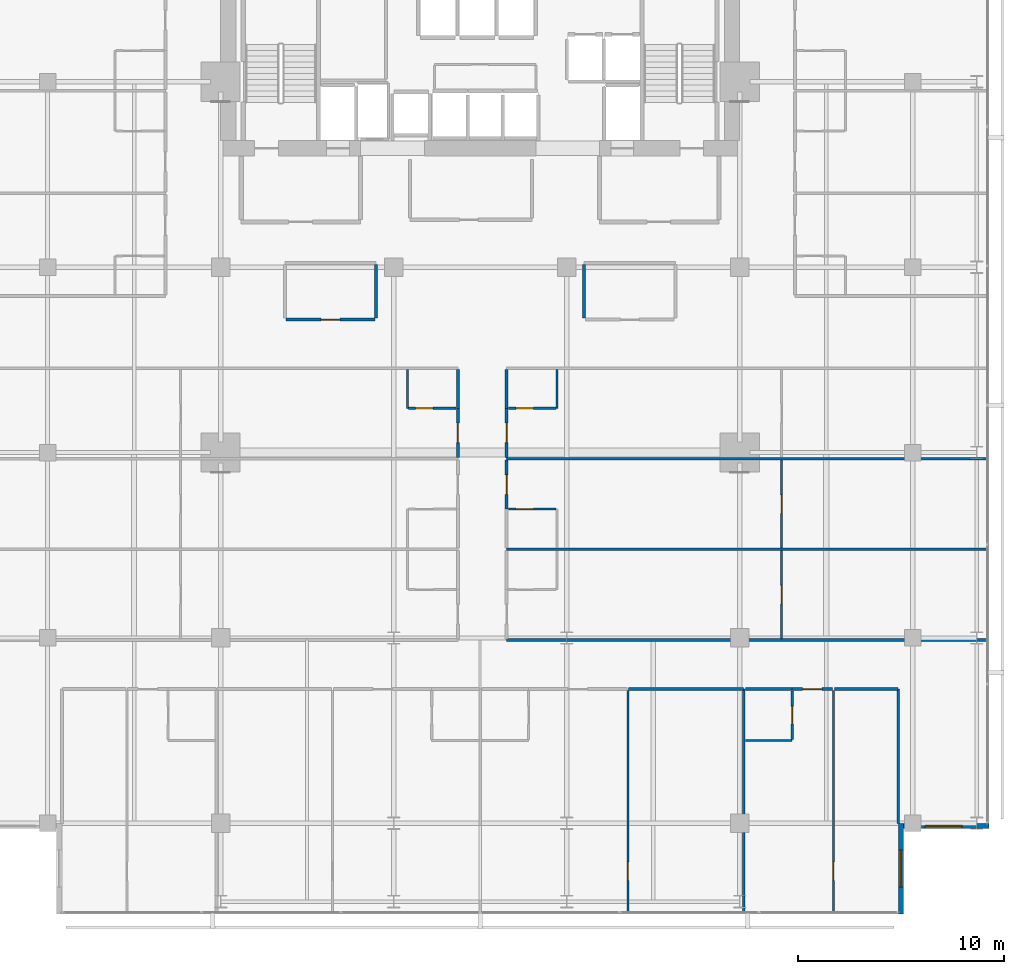
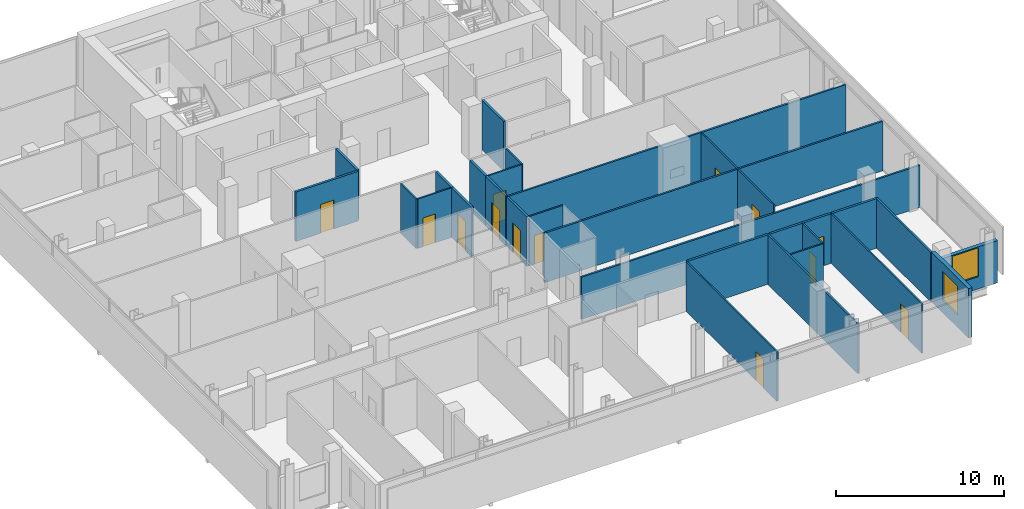
# One storey, part 28 of 34: 30 walls, 13 doors, 2 windows, 15 openings.
"""IFC4 building model written with IfcOpenShell, lengths in metres."""

from ifc_helpers import new_model, si_unit, direction, frame, frame_2d, origin, place, context, subcontext, project, spatial, rectangle, extrude, material, layer, layer_set, type_object, element, fill, save


model = new_model("IFC4")

# Units and contexts
model_context = context("Model", 3, precision=1e-05, world=origin(), true_north=direction((0.0, 1.0)))
body_context = subcontext(model_context, "Body", "Model", "MODEL_VIEW")
ifc_project = project(units=[si_unit("LENGTHUNIT", "METRE"), si_unit("AREAUNIT", "SQUARE_METRE"), si_unit("VOLUMEUNIT", "CUBIC_METRE"), si_unit("PLANEANGLEUNIT", "RADIAN"), si_unit("MASSUNIT", "GRAM", prefix="KILO")], contexts=[model_context])

# Site, building, storey
site_placement = place(None, origin())
site = spatial("IfcSite", under=ifc_project, at=site_placement, CompositionType="ELEMENT")
building_placement = place(site_placement, origin())
building = spatial("IfcBuilding", under=site, at=building_placement, Name="Maruvema Waterfront Hotel and Observation Tower", CompositionType="ELEMENT")
storey_placement = place(building_placement, frame((0.0, 0.0, 208.25)))
storey = spatial("IfcBuildingStorey", under=building, at=storey_placement, Name="L51", CompositionType="ELEMENT", Elevation=208.25)

# Wall
ifc_material_1 = material(Name="Twin-stud acoustic gypsum drywall", Category="gypsum")
ifc_layer_1 = layer(ifc_material_1, 0.14990234375, Name="Acoustic Corridor and Suite Demising Wall 150 mm")
ifc_layer_set_1 = layer_set([ifc_layer_1], Name="Twin-stud acoustic gypsum drywall")
wall_type_1 = type_object("IfcWallType", Name="Acoustic Corridor and Suite Demising Wall 150 mm", PredefinedType="PARTITIONING", material=ifc_layer_set_1)
wall_1_placement = place(storey_placement, frame((32.75, 33.530029296875, 0.0), z_axis=(0.0, 0.0, 1.0), x_axis=(0.0, 1.0, 0.0)))
element("IfcWall", 1, at=wall_1_placement, inside=storey, type_object=wall_type_1, Name="L51 L51-M1 East Wall 023", PredefinedType="PARTITIONING", context=body_context, shape_type="SweptSolid", body=[
    extrude(rectangle(XDim=2.590087890625, YDim=0.14990234375, at=frame_2d((1.294921875, 0.0))), origin(), (0.0, 0.0, 1.0), 3.610107421875),
])

# Wall, opening, door
wall_2_placement = place(storey_placement, frame((28.3798828125, 33.449951171875, 0.0), z_axis=(0.0, 0.0, 1.0), x_axis=(1.0, 0.0, 0.0)))
wall_2 = element("IfcWall", 2, at=wall_2_placement, inside=storey, type_object=wall_type_1, Name="L51 L51-M1 Front 1 024", PredefinedType="PARTITIONING", context=body_context, shape_type="SweptSolid", body=[
    extrude(rectangle(XDim=4.31005859375, YDim=0.14990234375, at=frame_2d((2.155029296875, 0.0))), origin(), (0.0, 0.0, 1.0), 3.610107421875),
])
opening_1_placement = place(wall_2_placement, frame((1.705078125, 0.0, 0.0)))
opening_1 = element("IfcOpeningElement", 3, at=opening_1_placement, cuts=wall_2, Name="Opening DR-090", PredefinedType="OPENING", context=body_context, shape_type="SweptSolid", body=[
    extrude(rectangle(XDim=0.89990234375, YDim=2.10009765625, at=frame_2d((0.449951171875, 1.050048828125))), frame((0.0, 0.0849609375, 0.0), z_axis=(0.0, -1.0, 0.0), x_axis=(1.0, 0.0, 0.0)), (0.0, 0.0, 1.0), 0.169921875),
])
ifc_material_2 = material(Name="Solid-core lacquered timber leaf", Category="wood")
door_type_1 = type_object("IfcDoorType", Name="Accessible Toilet and Room Door 900x2100 mm", OperationType="NOTDEFINED", PredefinedType="DOOR", material=ifc_material_2)
door_1_placement = place(opening_1_placement, frame((0.89990234375, 0.0, 0.0), z_axis=(0.0, 0.0, 1.0), x_axis=(-1.0, 0.0, 0.0)))
door_1 = element("IfcDoor", 4, at=door_1_placement, inside=storey, type_object=door_type_1, Name="L51 Boardroom 1 Door", OperationType="SINGLE_SWING_LEFT", OverallHeight=2.10009765625, OverallWidth=0.89990234375, PredefinedType="DOOR", context=body_context, shape_type="SweptSolid", body=[
    extrude(rectangle(XDim=0.89990234375, YDim=2.10009765625, at=frame_2d((0.449951171875, 1.050048828125))), frame((0.0, 0.02490234375, 0.0), z_axis=(0.0, -1.0, 0.0), x_axis=(1.0, 0.0, 0.0)), (0.0, 0.0, 1.0), 0.050048828125),
])
fill(opening_1, door_1)

# Walls
wall_3_placement = place(storey_placement, frame((42.85009765625, 33.530029296875, 0.0), z_axis=(0.0, 0.0, 1.0), x_axis=(0.0, 1.0, 0.0)))
element("IfcWall", 5, at=wall_3_placement, inside=storey, type_object=wall_type_1, Name="L51 L51-M2 West Wall 026", PredefinedType="PARTITIONING", context=body_context, shape_type="SweptSolid", body=[
    extrude(rectangle(XDim=2.590087890625, YDim=0.14990234375, at=frame_2d((1.294921875, 0.0))), origin(), (0.0, 0.0, 1.0), 3.610107421875),
])
wall_4_placement = place(storey_placement, frame((45.008056640625, 15.52001953125, 0.0), z_axis=(0.0, 0.0, 1.0), x_axis=(1.0, 0.0, 0.0)))
element("IfcWall", 6, at=wall_4_placement, inside=storey, type_object=wall_type_1, Name="L51 Bedroom L51-S3 Back Wall 049", PredefinedType="PARTITIONING", context=body_context, shape_type="SweptSolid", body=[
    extrude(rectangle(XDim=5.572021484375, YDim=0.14990234375, at=frame_2d((2.7861328125, 0.0))), origin(), (0.0, 0.0, 1.0), 3.610107421875),
])
wall_5_placement = place(storey_placement, frame((50.679931640625, 15.52001953125, 0.0), z_axis=(0.0, 0.0, 1.0), x_axis=(1.0, 0.0, 0.0)))
element("IfcWall", 7, at=wall_5_placement, inside=storey, type_object=wall_type_1, Name="L51 Bath L51-S4 Back Wall 052", PredefinedType="PARTITIONING", context=body_context, shape_type="SweptSolid", body=[
    extrude(rectangle(XDim=2.27001953125, YDim=0.14990234375, at=frame_2d((1.135009765625, 0.0))), origin(), (0.0, 0.0, 1.0), 3.610107421875),
])

# Wall, opening, door
wall_6_placement = place(storey_placement, frame((52.949951171875, 15.52001953125, 0.0), z_axis=(0.0, 0.0, 1.0), x_axis=(1.0, 0.0, 0.0)))
wall_6 = element("IfcWall", 8, at=wall_6_placement, inside=storey, type_object=wall_type_1, Name="L51 Unit L51-S4 Corridor Wall 055", PredefinedType="PARTITIONING", context=body_context, shape_type="SweptSolid", body=[
    extrude(rectangle(XDim=1.9599609375, YDim=0.14990234375, at=frame_2d((0.97998046875, 0.0))), origin(), (0.0, 0.0, 1.0), 3.610107421875),
])
opening_2_placement = place(wall_6_placement, frame((0.5048828125, 0.0, 0.0)))
opening_2 = element("IfcOpeningElement", 9, at=opening_2_placement, cuts=wall_6, Name="Opening DR-095", PredefinedType="OPENING", context=body_context, shape_type="SweptSolid", body=[
    extrude(rectangle(XDim=0.949951171875, YDim=2.14990234375, at=frame_2d((0.47509765625, 1.074951171875))), frame((0.0, 0.0849609375, 0.0), z_axis=(0.0, -1.0, 0.0), x_axis=(1.0, 0.0, 0.0)), (0.0, 0.0, 1.0), 0.169921875),
])
ifc_material_3 = material(Name="Acoustic solid-core hardwood timber leaf", Category="wood")
door_type_2 = type_object("IfcDoorType", Name="Guestroom Entrance Fire Door 950x2150 mm", OperationType="NOTDEFINED", PredefinedType="DOOR", material=ifc_material_3)
door_2_placement = place(opening_2_placement, frame((0.949951171875, 0.0, 0.0), z_axis=(0.0, 0.0, 1.0), x_axis=(-1.0, 0.0, 0.0)))
door_2 = element("IfcDoor", 10, at=door_2_placement, inside=storey, type_object=door_type_2, Name="L51 Unit L51-S4 Entrance Door", OperationType="SINGLE_SWING_LEFT", OverallHeight=2.14990234375, OverallWidth=0.949951171875, PredefinedType="DOOR", context=body_context, shape_type="SweptSolid", body=[
    extrude(rectangle(XDim=0.949951171875, YDim=2.14990234375, at=frame_2d((0.47509765625, 1.074951171875))), frame((0.0, 0.02490234375, 0.0), z_axis=(0.0, -1.0, 0.0), x_axis=(1.0, 0.0, 0.0)), (0.0, 0.0, 1.0), 0.050048828125),
])
fill(opening_2, door_2)

# Wall
wall_7_placement = place(storey_placement, frame((54.989990234375, 15.52001953125, 0.0), z_axis=(0.0, 0.0, 1.0), x_axis=(1.0, 0.0, 0.0)))
element("IfcWall", 11, at=wall_7_placement, inside=storey, type_object=wall_type_1, Name="L51 Bedroom L51-S4 Back Wall 056", PredefinedType="PARTITIONING", context=body_context, shape_type="SweptSolid", body=[
    extrude(rectangle(XDim=3.090087890625, YDim=0.14990234375, at=frame_2d((1.544921875, 0.0))), origin(), (0.0, 0.0, 1.0), 3.610107421875),
])

# Wall, opening, door
wall_8_placement = place(storey_placement, frame((39.080078125, 24.25, 0.0), z_axis=(0.0, 0.0, 1.0), x_axis=(0.0, 1.0, 0.0)))
wall_8 = element("IfcWall", 12, at=wall_8_placement, inside=storey, type_object=wall_type_1, Name="L51 Room L51-E2 Corridor Wall 080", PredefinedType="PARTITIONING", context=body_context, shape_type="SweptSolid", body=[
    extrude(rectangle(XDim=2.389892578125, YDim=0.14990234375, at=frame_2d((1.19482421875, 0.0))), origin(), (0.0, 0.0, 1.0), 3.610107421875),
])
opening_3_placement = place(wall_8_placement, frame((0.719970703125, 0.0, 0.0)))
opening_3 = element("IfcOpeningElement", 13, at=opening_3_placement, cuts=wall_8, Name="Opening DR-095", PredefinedType="OPENING", context=body_context, shape_type="SweptSolid", body=[
    extrude(rectangle(XDim=0.949951171875, YDim=2.14990234375, at=frame_2d((0.47509765625, 1.074951171875))), frame((0.0, 0.0849609375, 0.0), z_axis=(0.0, -1.0, 0.0), x_axis=(1.0, 0.0, 0.0)), (0.0, 0.0, 1.0), 0.169921875),
])
door_3_placement = place(opening_3_placement, frame((0.949951171875, 0.0, 0.0), z_axis=(0.0, 0.0, 1.0), x_axis=(-1.0, 0.0, 0.0)))
door_3 = element("IfcDoor", 14, at=door_3_placement, inside=storey, type_object=door_type_2, Name="L51 Room L51-E2 Entrance Door", OperationType="SINGLE_SWING_LEFT", OverallHeight=2.14990234375, OverallWidth=0.949951171875, PredefinedType="DOOR", context=body_context, shape_type="SweptSolid", body=[
    extrude(rectangle(XDim=0.949951171875, YDim=2.14990234375, at=frame_2d((0.47509765625, 1.074951171875))), frame((0.0, 0.02490234375, 0.0), z_axis=(0.0, -1.0, 0.0), x_axis=(1.0, 0.0, 0.0)), (0.0, 0.0, 1.0), 0.050048828125),
])
fill(opening_3, door_3)

wall_9_placement = place(storey_placement, frame((36.719970703125, 26.760009765625, 0.0), z_axis=(0.0, 0.0, 1.0), x_axis=(0.0, 1.0, 0.0)))
wall_9 = element("IfcWall", 15, at=wall_9_placement, inside=storey, type_object=wall_type_1, Name="L51 Room L51-W3 Corridor Wall 086", PredefinedType="PARTITIONING", context=body_context, shape_type="SweptSolid", body=[
    extrude(rectangle(XDim=2.389892578125, YDim=0.14990234375, at=frame_2d((1.19482421875, 0.0))), origin(), (0.0, 0.0, 1.0), 3.610107421875),
])
opening_4_placement = place(wall_9_placement, frame((0.719970703125, 0.0, 0.0)))
opening_4 = element("IfcOpeningElement", 16, at=opening_4_placement, cuts=wall_9, Name="Opening DR-095", PredefinedType="OPENING", context=body_context, shape_type="SweptSolid", body=[
    extrude(rectangle(XDim=0.949951171875, YDim=2.14990234375, at=frame_2d((0.47509765625, 1.074951171875))), frame((0.0, 0.0849609375, 0.0), z_axis=(0.0, -1.0, 0.0), x_axis=(1.0, 0.0, 0.0)), (0.0, 0.0, 1.0), 0.169921875),
])
door_4_placement = place(opening_4_placement, origin())
door_4 = element("IfcDoor", 17, at=door_4_placement, inside=storey, type_object=door_type_2, Name="L51 Room L51-W3 Entrance Door", OperationType="SINGLE_SWING_RIGHT", OverallHeight=2.14990234375, OverallWidth=0.949951171875, PredefinedType="DOOR", context=body_context, shape_type="SweptSolid", body=[
    extrude(rectangle(XDim=0.949951171875, YDim=2.14990234375, at=frame_2d((0.47509765625, 1.074951171875))), frame((0.0, 0.02490234375, 0.0), z_axis=(0.0, -1.0, 0.0), x_axis=(1.0, 0.0, 0.0)), (0.0, 0.0, 1.0), 0.050048828125),
])
fill(opening_4, door_4)

# Wall
wall_10_placement = place(storey_placement, frame((36.719970703125, 29.14990234375, 0.0), z_axis=(0.0, 0.0, 1.0), x_axis=(0.0, 1.0, 0.0)))
element("IfcWall", 18, at=wall_10_placement, inside=storey, type_object=wall_type_1, Name="L51 Bath L51-W3 Wall 087", PredefinedType="PARTITIONING", context=body_context, shape_type="SweptSolid", body=[
    extrude(rectangle(XDim=1.89013671875, YDim=0.14990234375, at=frame_2d((0.945068359375, 0.0))), origin(), (0.0, 0.0, 1.0), 3.610107421875),
])

# Wall, opening, door
wall_11_placement = place(storey_placement, frame((39.080078125, 26.760009765625, 0.0), z_axis=(0.0, 0.0, 1.0), x_axis=(0.0, 1.0, 0.0)))
wall_11 = element("IfcWall", 19, at=wall_11_placement, inside=storey, type_object=wall_type_1, Name="L51 Room L51-E3 Corridor Wall 091", PredefinedType="PARTITIONING", context=body_context, shape_type="SweptSolid", body=[
    extrude(rectangle(XDim=2.389892578125, YDim=0.14990234375, at=frame_2d((1.19482421875, 0.0))), origin(), (0.0, 0.0, 1.0), 3.610107421875),
])
opening_5_placement = place(wall_11_placement, frame((0.719970703125, 0.0, 0.0)))
opening_5 = element("IfcOpeningElement", 20, at=opening_5_placement, cuts=wall_11, Name="Opening DR-095", PredefinedType="OPENING", context=body_context, shape_type="SweptSolid", body=[
    extrude(rectangle(XDim=0.949951171875, YDim=2.14990234375, at=frame_2d((0.47509765625, 1.074951171875))), frame((0.0, 0.0849609375, 0.0), z_axis=(0.0, -1.0, 0.0), x_axis=(1.0, 0.0, 0.0)), (0.0, 0.0, 1.0), 0.169921875),
])
door_5_placement = place(opening_5_placement, frame((0.949951171875, 0.0, 0.0), z_axis=(0.0, 0.0, 1.0), x_axis=(-1.0, 0.0, 0.0)))
door_5 = element("IfcDoor", 21, at=door_5_placement, inside=storey, type_object=door_type_2, Name="L51 Room L51-E3 Entrance Door", OperationType="SINGLE_SWING_LEFT", OverallHeight=2.14990234375, OverallWidth=0.949951171875, PredefinedType="DOOR", context=body_context, shape_type="SweptSolid", body=[
    extrude(rectangle(XDim=0.949951171875, YDim=2.14990234375, at=frame_2d((0.47509765625, 1.074951171875))), frame((0.0, 0.02490234375, 0.0), z_axis=(0.0, -1.0, 0.0), x_axis=(1.0, 0.0, 0.0)), (0.0, 0.0, 1.0), 0.050048828125),
])
fill(opening_5, door_5)

# Wall
wall_12_placement = place(storey_placement, frame((39.080078125, 29.14990234375, 0.0), z_axis=(0.0, 0.0, 1.0), x_axis=(0.0, 1.0, 0.0)))
element("IfcWall", 22, at=wall_12_placement, inside=storey, type_object=wall_type_1, Name="L51 Bath L51-E3 Wall 092", PredefinedType="PARTITIONING", context=body_context, shape_type="SweptSolid", body=[
    extrude(rectangle(XDim=1.89013671875, YDim=0.14990234375, at=frame_2d((0.945068359375, 0.0))), origin(), (0.0, 0.0, 1.0), 3.610107421875),
])

# Wall, opening, door
ifc_material_4 = material(Name="Moisture-resistant cement-board drywall", Category="gypsum")
ifc_layer_2 = layer(ifc_material_4, 0.10009765625, Name="En-Suite Moisture-Resistant Partition 100 mm")
ifc_layer_set_2 = layer_set([ifc_layer_2], Name="Moisture-resistant cement-board drywall")
wall_type_2 = type_object("IfcWallType", Name="En-Suite Moisture-Resistant Partition 100 mm", PredefinedType="PARTITIONING", material=ifc_layer_set_2)
wall_13_placement = place(storey_placement, frame((44.968017578125, 4.6298828125, 0.0), z_axis=(0.0, 0.0, 1.0), x_axis=(0.0, 1.0, 0.0)))
wall_13 = element("IfcWall", 23, at=wall_13_placement, inside=storey, type_object=wall_type_2, Name="L51 Suite L51-S3 Split 050", PredefinedType="PARTITIONING", context=body_context, shape_type="SweptSolid", body=[
    extrude(rectangle(XDim=10.830078125, YDim=0.10009765625, at=frame_2d((5.4150390625, 0.0))), origin(), (0.0, 0.0, 1.0), 3.610107421875),
])
opening_6_placement = place(wall_13_placement, frame((1.60009765625, 0.0, 0.0)))
opening_6 = element("IfcOpeningElement", 24, at=opening_6_placement, cuts=wall_13, Name="Opening DR-090", PredefinedType="OPENING", context=body_context, shape_type="SweptSolid", body=[
    extrude(rectangle(XDim=0.89990234375, YDim=2.10009765625, at=frame_2d((0.449951171875, 1.050048828125))), frame((0.0, 0.06005859375, 0.0), z_axis=(0.0, -1.0, 0.0), x_axis=(1.0, 0.0, 0.0)), (0.0, 0.0, 1.0), 0.1201171875),
])
door_6_placement = place(opening_6_placement, origin())
door_6 = element("IfcDoor", 25, at=door_6_placement, inside=storey, type_object=door_type_1, Name="L51 Suite L51-S3 Bedroom Door", OperationType="SINGLE_SWING_LEFT", OverallHeight=2.10009765625, OverallWidth=0.89990234375, PredefinedType="DOOR", context=body_context, shape_type="SweptSolid", body=[
    extrude(rectangle(XDim=0.89990234375, YDim=2.10009765625, at=frame_2d((0.449951171875, 1.050048828125))), frame((0.0, 0.02490234375, 0.0), z_axis=(0.0, -1.0, 0.0), x_axis=(1.0, 0.0, 0.0)), (0.0, 0.0, 1.0), 0.050048828125),
])
fill(opening_6, door_6)

# Wall
wall_14_placement = place(storey_placement, frame((50.679931640625, 13.02001953125, 0.0), z_axis=(0.0, 0.0, 1.0), x_axis=(1.0, 0.0, 0.0)))
element("IfcWall", 26, at=wall_14_placement, inside=storey, type_object=wall_type_2, Name="L51 En-Suite L51-S4 South 053", PredefinedType="PARTITIONING", context=body_context, shape_type="SweptSolid", body=[
    extrude(rectangle(XDim=2.27001953125, YDim=0.10009765625, at=frame_2d((1.135009765625, 0.0))), origin(), (0.0, 0.0, 1.0), 3.610107421875),
])

# Wall, opening, door
wall_15_placement = place(storey_placement, frame((52.949951171875, 13.080078125, 0.0), z_axis=(0.0, 0.0, 1.0), x_axis=(0.0, 1.0, 0.0)))
wall_15 = element("IfcWall", 27, at=wall_15_placement, inside=storey, type_object=wall_type_2, Name="L51 En-Suite L51-S4 East 054", PredefinedType="PARTITIONING", context=body_context, shape_type="SweptSolid", body=[
    extrude(rectangle(XDim=2.33984375, YDim=0.10009765625, at=frame_2d((1.169921875, 0.0))), origin(), (0.0, 0.0, 1.0), 3.610107421875),
])
opening_7_placement = place(wall_15_placement, frame((0.7451171875, 0.0, 0.0)))
opening_7 = element("IfcOpeningElement", 28, at=opening_7_placement, cuts=wall_15, Name="Opening DR-085", PredefinedType="OPENING", context=body_context, shape_type="SweptSolid", body=[
    extrude(rectangle(XDim=0.85009765625, YDim=2.10009765625, at=frame_2d((0.425048828125, 1.050048828125))), frame((0.0, 0.06005859375, 0.0), z_axis=(0.0, -1.0, 0.0), x_axis=(1.0, 0.0, 0.0)), (0.0, 0.0, 1.0), 0.1201171875),
])
ifc_material_5 = material(Name="Moisture-resistant solid timber leaf", Category="wood")
door_type_3 = type_object("IfcDoorType", Name="En-Suite Bathroom Door 850x2100 mm", OperationType="NOTDEFINED", PredefinedType="DOOR", material=ifc_material_5)
door_7_placement = place(opening_7_placement, frame((0.85009765625, 0.0, 0.0), z_axis=(0.0, 0.0, 1.0), x_axis=(-1.0, 0.0, 0.0)))
door_7 = element("IfcDoor", 29, at=door_7_placement, inside=storey, type_object=door_type_3, Name="L51 En-Suite L51-S4 Door", OperationType="SINGLE_SWING_RIGHT", OverallHeight=2.10009765625, OverallWidth=0.85009765625, PredefinedType="DOOR", context=body_context, shape_type="SweptSolid", body=[
    extrude(rectangle(XDim=0.85009765625, YDim=2.10009765625, at=frame_2d((0.425048828125, 1.050048828125))), frame((0.0, 0.02490234375, 0.0), z_axis=(0.0, -1.0, 0.0), x_axis=(1.0, 0.0, 0.0)), (0.0, 0.0, 1.0), 0.050048828125),
])
fill(opening_7, door_7)

wall_16_placement = place(storey_placement, frame((54.949951171875, 4.6298828125, 0.0), z_axis=(0.0, 0.0, 1.0), x_axis=(0.0, 1.0, 0.0)))
wall_16 = element("IfcWall", 30, at=wall_16_placement, inside=storey, type_object=wall_type_2, Name="L51 Suite L51-S4 Split 057", PredefinedType="PARTITIONING", context=body_context, shape_type="SweptSolid", body=[
    extrude(rectangle(XDim=10.830078125, YDim=0.10009765625, at=frame_2d((5.4150390625, 0.0))), origin(), (0.0, 0.0, 1.0), 3.610107421875),
])
opening_8_placement = place(wall_16_placement, frame((1.60009765625, 0.0, 0.0)))
opening_8 = element("IfcOpeningElement", 31, at=opening_8_placement, cuts=wall_16, Name="Opening DR-090", PredefinedType="OPENING", context=body_context, shape_type="SweptSolid", body=[
    extrude(rectangle(XDim=0.89990234375, YDim=2.10009765625, at=frame_2d((0.449951171875, 1.050048828125))), frame((0.0, 0.06005859375, 0.0), z_axis=(0.0, -1.0, 0.0), x_axis=(1.0, 0.0, 0.0)), (0.0, 0.0, 1.0), 0.1201171875),
])
door_8_placement = place(opening_8_placement, origin())
door_8 = element("IfcDoor", 32, at=door_8_placement, inside=storey, type_object=door_type_1, Name="L51 Suite L51-S4 Bedroom Door", OperationType="SINGLE_SWING_RIGHT", OverallHeight=2.10009765625, OverallWidth=0.89990234375, PredefinedType="DOOR", context=body_context, shape_type="SweptSolid", body=[
    extrude(rectangle(XDim=0.89990234375, YDim=2.10009765625, at=frame_2d((0.449951171875, 1.050048828125))), frame((0.0, 0.02490234375, 0.0), z_axis=(0.0, -1.0, 0.0), x_axis=(1.0, 0.0, 0.0)), (0.0, 0.0, 1.0), 0.050048828125),
])
fill(opening_8, door_8)

wall_17_placement = place(storey_placement, frame((52.434326171875, 17.9599609375, 0.0), z_axis=(0.0, 0.0, 1.0), x_axis=(0.0, 1.0, 0.0)))
wall_17 = element("IfcWall", 33, at=wall_17_placement, inside=storey, type_object=wall_type_2, Name="L51 Suite L51-E1 Split 071", PredefinedType="PARTITIONING", context=body_context, shape_type="SweptSolid", body=[
    extrude(rectangle(XDim=4.280029296875, YDim=0.10009765625, at=frame_2d((2.14013671875, 0.0))), origin(), (0.0, 0.0, 1.0), 3.610107421875),
])
opening_9_placement = place(wall_17_placement, frame((1.68994140625, 0.0, 0.0)))
opening_9 = element("IfcOpeningElement", 34, at=opening_9_placement, cuts=wall_17, Name="Opening DR-090", PredefinedType="OPENING", context=body_context, shape_type="SweptSolid", body=[
    extrude(rectangle(XDim=0.89990234375, YDim=2.10009765625, at=frame_2d((0.449951171875, 1.050048828125))), frame((0.0, 0.06005859375, 0.0), z_axis=(0.0, -1.0, 0.0), x_axis=(1.0, 0.0, 0.0)), (0.0, 0.0, 1.0), 0.1201171875),
])
door_9_placement = place(opening_9_placement, frame((0.89990234375, 0.0, 0.0), z_axis=(0.0, 0.0, 1.0), x_axis=(-1.0, 0.0, 0.0)))
door_9 = element("IfcDoor", 35, at=door_9_placement, inside=storey, type_object=door_type_1, Name="L51 Suite L51-E1 Bedroom Door", OperationType="SINGLE_SWING_RIGHT", OverallHeight=2.10009765625, OverallWidth=0.89990234375, PredefinedType="DOOR", context=body_context, shape_type="SweptSolid", body=[
    extrude(rectangle(XDim=0.89990234375, YDim=2.10009765625, at=frame_2d((0.449951171875, 1.050048828125))), frame((0.0, 0.02490234375, 0.0), z_axis=(0.0, -1.0, 0.0), x_axis=(1.0, 0.0, 0.0)), (0.0, 0.0, 1.0), 0.050048828125),
])
fill(opening_9, door_9)

wall_18_placement = place(storey_placement, frame((39.179931640625, 24.25, 0.0), z_axis=(0.0, 0.0, 1.0), x_axis=(1.0, 0.0, 0.0)))
wall_18 = element("IfcWall", 36, at=wall_18_placement, inside=storey, type_object=wall_type_2, Name="L51 En-Suite L51-E2 N 082", PredefinedType="PARTITIONING", context=body_context, shape_type="SweptSolid", body=[
    extrude(rectangle(XDim=2.300048828125, YDim=0.10009765625, at=frame_2d((1.14990234375, 0.0))), origin(), (0.0, 0.0, 1.0), 3.610107421875),
])
opening_10_placement = place(wall_18_placement, frame((0.35009765625, 0.0, 0.0)))
opening_10 = element("IfcOpeningElement", 37, at=opening_10_placement, cuts=wall_18, Name="Opening DR-085", PredefinedType="OPENING", context=body_context, shape_type="SweptSolid", body=[
    extrude(rectangle(XDim=0.85009765625, YDim=2.10009765625, at=frame_2d((0.425048828125, 1.050048828125))), frame((0.0, 0.06005859375, 0.0), z_axis=(0.0, -1.0, 0.0), x_axis=(1.0, 0.0, 0.0)), (0.0, 0.0, 1.0), 0.1201171875),
])
door_10_placement = place(opening_10_placement, origin())
door_10 = element("IfcDoor", 38, at=door_10_placement, inside=storey, type_object=door_type_3, Name="L51 En-Suite L51-E2 Door", OperationType="SINGLE_SWING_RIGHT", OverallHeight=2.10009765625, OverallWidth=0.85009765625, PredefinedType="DOOR", context=body_context, shape_type="SweptSolid", body=[
    extrude(rectangle(XDim=0.85009765625, YDim=2.10009765625, at=frame_2d((0.425048828125, 1.050048828125))), frame((0.0, 0.02490234375, 0.0), z_axis=(0.0, -1.0, 0.0), x_axis=(1.0, 0.0, 0.0)), (0.0, 0.0, 1.0), 0.050048828125),
])
fill(opening_10, door_10)

wall_19_placement = place(storey_placement, frame((52.434326171875, 22.360107421875, 0.0), z_axis=(0.0, 0.0, 1.0), x_axis=(0.0, 1.0, 0.0)))
wall_19 = element("IfcWall", 39, at=wall_19_placement, inside=storey, type_object=wall_type_2, Name="L51 Suite L51-E2 Split 083", PredefinedType="PARTITIONING", context=body_context, shape_type="SweptSolid", body=[
    extrude(rectangle(XDim=4.27978515625, YDim=0.10009765625, at=frame_2d((2.139892578125, 0.0))), origin(), (0.0, 0.0, 1.0), 3.610107421875),
])
opening_11_placement = place(wall_19_placement, frame((1.68994140625, 0.0, 0.0)))
opening_11 = element("IfcOpeningElement", 40, at=opening_11_placement, cuts=wall_19, Name="Opening DR-090", PredefinedType="OPENING", context=body_context, shape_type="SweptSolid", body=[
    extrude(rectangle(XDim=0.89990234375, YDim=2.10009765625, at=frame_2d((0.449951171875, 1.050048828125))), frame((0.0, 0.06005859375, 0.0), z_axis=(0.0, -1.0, 0.0), x_axis=(1.0, 0.0, 0.0)), (0.0, 0.0, 1.0), 0.1201171875),
])
door_11_placement = place(opening_11_placement, frame((0.89990234375, 0.0, 0.0), z_axis=(0.0, 0.0, 1.0), x_axis=(-1.0, 0.0, 0.0)))
door_11 = element("IfcDoor", 41, at=door_11_placement, inside=storey, type_object=door_type_1, Name="L51 Suite L51-E2 Bedroom Door", OperationType="SINGLE_SWING_RIGHT", OverallHeight=2.10009765625, OverallWidth=0.89990234375, PredefinedType="DOOR", context=body_context, shape_type="SweptSolid", body=[
    extrude(rectangle(XDim=0.89990234375, YDim=2.10009765625, at=frame_2d((0.449951171875, 1.050048828125))), frame((0.0, 0.02490234375, 0.0), z_axis=(0.0, -1.0, 0.0), x_axis=(1.0, 0.0, 0.0)), (0.0, 0.0, 1.0), 0.050048828125),
])
fill(opening_11, door_11)

# Wall
wall_20_placement = place(storey_placement, frame((34.27001953125, 29.14990234375, 0.0), z_axis=(0.0, 0.0, 1.0), x_axis=(0.0, 1.0, 0.0)))
element("IfcWall", 42, at=wall_20_placement, inside=storey, type_object=wall_type_2, Name="L51 En-Suite L51-W3 W 088", PredefinedType="PARTITIONING", context=body_context, shape_type="SweptSolid", body=[
    extrude(rectangle(XDim=1.89013671875, YDim=0.10009765625, at=frame_2d((0.945068359375, 0.0))), origin(), (0.0, 0.0, 1.0), 3.610107421875),
])

# Wall, opening, door
wall_21_placement = place(storey_placement, frame((34.320068359375, 29.14990234375, 0.0), z_axis=(0.0, 0.0, 1.0), x_axis=(1.0, 0.0, 0.0)))
wall_21 = element("IfcWall", 43, at=wall_21_placement, inside=storey, type_object=wall_type_2, Name="L51 En-Suite L51-W3 S 089", PredefinedType="PARTITIONING", context=body_context, shape_type="SweptSolid", body=[
    extrude(rectangle(XDim=2.300048828125, YDim=0.10009765625, at=frame_2d((1.14990234375, 0.0))), origin(), (0.0, 0.0, 1.0), 3.610107421875),
])
opening_12_placement = place(wall_21_placement, frame((0.35009765625, 0.0, 0.0)))
opening_12 = element("IfcOpeningElement", 44, at=opening_12_placement, cuts=wall_21, Name="Opening DR-085", PredefinedType="OPENING", context=body_context, shape_type="SweptSolid", body=[
    extrude(rectangle(XDim=0.85009765625, YDim=2.10009765625, at=frame_2d((0.425048828125, 1.050048828125))), frame((0.0, 0.06005859375, 0.0), z_axis=(0.0, -1.0, 0.0), x_axis=(1.0, 0.0, 0.0)), (0.0, 0.0, 1.0), 0.1201171875),
])
door_12_placement = place(opening_12_placement, frame((0.85009765625, 0.0, 0.0), z_axis=(0.0, 0.0, 1.0), x_axis=(-1.0, 0.0, 0.0)))
door_12 = element("IfcDoor", 45, at=door_12_placement, inside=storey, type_object=door_type_3, Name="L51 En-Suite L51-W3 Door", OperationType="SINGLE_SWING_LEFT", OverallHeight=2.10009765625, OverallWidth=0.85009765625, PredefinedType="DOOR", context=body_context, shape_type="SweptSolid", body=[
    extrude(rectangle(XDim=0.85009765625, YDim=2.10009765625, at=frame_2d((0.425048828125, 1.050048828125))), frame((0.0, 0.02490234375, 0.0), z_axis=(0.0, -1.0, 0.0), x_axis=(1.0, 0.0, 0.0)), (0.0, 0.0, 1.0), 0.050048828125),
])
fill(opening_12, door_12)

# Wall
wall_22_placement = place(storey_placement, frame((41.530029296875, 29.14990234375, 0.0), z_axis=(0.0, 0.0, 1.0), x_axis=(0.0, 1.0, 0.0)))
element("IfcWall", 46, at=wall_22_placement, inside=storey, type_object=wall_type_2, Name="L51 En-Suite L51-E3 E 093", PredefinedType="PARTITIONING", context=body_context, shape_type="SweptSolid", body=[
    extrude(rectangle(XDim=1.89013671875, YDim=0.10009765625, at=frame_2d((0.945068359375, 0.0))), origin(), (0.0, 0.0, 1.0), 3.610107421875),
])

# Wall, opening, door
wall_23_placement = place(storey_placement, frame((39.179931640625, 29.14990234375, 0.0), z_axis=(0.0, 0.0, 1.0), x_axis=(1.0, 0.0, 0.0)))
wall_23 = element("IfcWall", 47, at=wall_23_placement, inside=storey, type_object=wall_type_2, Name="L51 En-Suite L51-E3 S 094", PredefinedType="PARTITIONING", context=body_context, shape_type="SweptSolid", body=[
    extrude(rectangle(XDim=2.300048828125, YDim=0.10009765625, at=frame_2d((1.14990234375, 0.0))), origin(), (0.0, 0.0, 1.0), 3.610107421875),
])
opening_13_placement = place(wall_23_placement, frame((0.35009765625, 0.0, 0.0)))
opening_13 = element("IfcOpeningElement", 48, at=opening_13_placement, cuts=wall_23, Name="Opening DR-085", PredefinedType="OPENING", context=body_context, shape_type="SweptSolid", body=[
    extrude(rectangle(XDim=0.85009765625, YDim=2.10009765625, at=frame_2d((0.425048828125, 1.050048828125))), frame((0.0, 0.06005859375, 0.0), z_axis=(0.0, -1.0, 0.0), x_axis=(1.0, 0.0, 0.0)), (0.0, 0.0, 1.0), 0.1201171875),
])
door_13_placement = place(opening_13_placement, frame((0.85009765625, 0.0, 0.0), z_axis=(0.0, 0.0, 1.0), x_axis=(-1.0, 0.0, 0.0)))
door_13 = element("IfcDoor", 49, at=door_13_placement, inside=storey, type_object=door_type_3, Name="L51 En-Suite L51-E3 Door", OperationType="SINGLE_SWING_RIGHT", OverallHeight=2.10009765625, OverallWidth=0.85009765625, PredefinedType="DOOR", context=body_context, shape_type="SweptSolid", body=[
    extrude(rectangle(XDim=0.85009765625, YDim=2.10009765625, at=frame_2d((0.425048828125, 1.050048828125))), frame((0.0, 0.02490234375, 0.0), z_axis=(0.0, -1.0, 0.0), x_axis=(1.0, 0.0, 0.0)), (0.0, 0.0, 1.0), 0.050048828125),
])
fill(opening_13, door_13)

# Wall, opening, window
ifc_material_6 = material(Name="Precast concrete C45/55 with honed Pernambuco granite facing", Category="masonry")
ifc_layer_3 = layer(ifc_material_6, 0.260009765625, Name="Exterior Granite Clad Spandrel and Pier Wall 260 mm")
ifc_layer_set_3 = layer_set([ifc_layer_3], Name="Precast concrete C45/55 with honed Pernambuco granite facing")
wall_type_3 = type_object("IfcWallType", Name="Exterior Granite Clad Spandrel and Pier Wall 260 mm", PredefinedType="SOLIDWALL", material=ifc_layer_set_3)
wall_24_placement = place(storey_placement, frame((58.22998046875, 9.0, 0.0), z_axis=(0.0, 0.0, 1.0), x_axis=(0.0, -1.0, 0.0)))
wall_24 = element("IfcWall", 50, at=wall_24_placement, inside=storey, type_object=wall_type_3, Name="L51 Corner Notch Granite Pier Wall SE1", PredefinedType="SOLIDWALL", context=body_context, shape_type="SweptSolid", body=[
    extrude(rectangle(XDim=4.39990234375, YDim=0.260009765625, at=frame_2d((2.199951171875, 0.0))), origin(), (0.0, 0.0, 1.0), 3.610107421875),
])
opening_14_placement = place(wall_24_placement, frame((1.300048828125, 0.0, 0.89990234375)))
opening_14 = element("IfcOpeningElement", 51, at=opening_14_placement, cuts=wall_24, Name="Opening WN-02", PredefinedType="OPENING", context=body_context, shape_type="SweptSolid", body=[
    extrude(rectangle(XDim=1.800048828125, YDim=2.10009765625, at=frame_2d((0.89990234375, 1.050048828125))), frame((0.0, 0.14013671875, 0.0), z_axis=(0.0, -1.0, 0.0), x_axis=(1.0, 0.0, 0.0)), (0.0, 0.0, 1.0), 0.280029296875),
])
ifc_material_7 = material(Name="Anodised bronze aluminium frame with laminated low-E glass", Category="aluminium")
window_type = type_object("IfcWindowType", Name="Upper Notch Feature Window 1800x2100 mm", PartitioningType="SINGLE_PANEL", PredefinedType="WINDOW", material=ifc_material_7)
window_1_placement = place(opening_14_placement, origin())
window_1 = element("IfcWindow", 52, at=window_1_placement, inside=storey, type_object=window_type, Name="L51 Corner Notch Punched Window SE1", OverallHeight=2.10009765625, OverallWidth=1.800048828125, PartitioningType="SINGLE_PANEL", PredefinedType="WINDOW", context=body_context, shape_type="SweptSolid", body=[
    extrude(rectangle(XDim=1.800048828125, YDim=2.10009765625, at=frame_2d((0.89990234375, 1.050048828125))), frame((0.0, 0.030029296875, 0.0), z_axis=(0.0, -1.0, 0.0), x_axis=(1.0, 0.0, 0.0)), (0.0, 0.0, 1.0), 0.06005859375),
])
fill(opening_14, window_1)

wall_25_placement = place(storey_placement, frame((62.5, 8.8701171875, 0.0), z_axis=(0.0, 0.0, 1.0), x_axis=(-1.0, 0.0, 0.0)))
wall_25 = element("IfcWall", 53, at=wall_25_placement, inside=storey, type_object=wall_type_3, Name="L51 Corner Notch Granite Pier Wall SE2", PredefinedType="SOLIDWALL", context=body_context, shape_type="SweptSolid", body=[
    extrude(rectangle(XDim=4.39990234375, YDim=0.260009765625, at=frame_2d((2.199951171875, 0.0))), origin(), (0.0, 0.0, 1.0), 3.071044921875),
])
opening_15_placement = place(wall_25_placement, frame((1.300048828125, 0.0, 0.89990234375)))
opening_15 = element("IfcOpeningElement", 54, at=opening_15_placement, cuts=wall_25, Name="Opening WN-02", PredefinedType="OPENING", context=body_context, shape_type="SweptSolid", body=[
    extrude(rectangle(XDim=1.800048828125, YDim=2.10009765625, at=frame_2d((0.89990234375, 1.050048828125))), frame((0.0, 0.14013671875, 0.0), z_axis=(0.0, -1.0, 0.0), x_axis=(1.0, 0.0, 0.0)), (0.0, 0.0, 1.0), 0.280029296875),
])
window_2_placement = place(opening_15_placement, origin())
window_2 = element("IfcWindow", 55, at=window_2_placement, inside=storey, type_object=window_type, Name="L51 Corner Notch Punched Window SE2", OverallHeight=2.10009765625, OverallWidth=1.800048828125, PartitioningType="SINGLE_PANEL", PredefinedType="WINDOW", context=body_context, shape_type="SweptSolid", body=[
    extrude(rectangle(XDim=1.800048828125, YDim=2.10009765625, at=frame_2d((0.89990234375, 1.050048828125))), frame((0.0, 0.030029296875, 0.0), z_axis=(0.0, -1.0, 0.0), x_axis=(1.0, 0.0, 0.0)), (0.0, 0.0, 1.0), 0.06005859375),
])
fill(opening_15, window_2)

# Walls
ifc_material_8 = material(Name="Acoustic gypsum plasterboard drywall", Category="gypsum")
ifc_layer_4 = layer(ifc_material_8, 0.125, Name="Guestroom Acoustic Demising Wall 125 mm")
ifc_layer_set_4 = layer_set([ifc_layer_4], Name="Acoustic gypsum plasterboard drywall")
wall_type_4 = type_object("IfcWallType", Name="Guestroom Acoustic Demising Wall 125 mm", PredefinedType="PARTITIONING", material=ifc_layer_set_4)
wall_26_placement = place(storey_placement, frame((58.10009765625, 9.0, 0.0), z_axis=(0.0, 0.0, 1.0), x_axis=(0.0, 1.0, 0.0)))
element("IfcWall", 56, at=wall_26_placement, inside=storey, type_object=wall_type_4, Name="L51 Z2 S East End 030", PredefinedType="PARTITIONING", context=body_context, shape_type="SweptSolid", body=[
    extrude(rectangle(XDim=6.52001953125, YDim=0.125, at=frame_2d((3.260009765625, 0.0))), origin(), (0.0, 0.0, 1.0), 3.610107421875),
])
wall_27_placement = place(storey_placement, frame((50.60009765625, 4.699951171875, 0.0), z_axis=(0.0, 0.0, 1.0), x_axis=(0.0, 1.0, 0.0)))
element("IfcWall", 57, at=wall_27_placement, inside=storey, type_object=wall_type_4, Name="L51 Z2 S Demising 4 051", PredefinedType="PARTITIONING", context=body_context, shape_type="SweptSolid", body=[
    extrude(rectangle(XDim=10.820068359375, YDim=0.125, at=frame_2d((5.41015625, 0.0))), origin(), (0.0, 0.0, 1.0), 3.610107421875),
])
wall_28_placement = place(storey_placement, frame((39.080078125, 17.89990234375, 0.0), z_axis=(0.0, 0.0, 1.0), x_axis=(1.0, 0.0, 0.0)))
element("IfcWall", 58, at=wall_28_placement, inside=storey, type_object=wall_type_4, Name="L51 Z2 E Bot End 059", PredefinedType="PARTITIONING", context=body_context, shape_type="SweptSolid", body=[
    extrude(rectangle(XDim=23.31982421875, YDim=0.125, at=frame_2d((11.659912109375, 0.0))), origin(), (0.0, 0.0, 1.0), 3.071044921875),
])
for number, where, z_axis, x_axis, name in (
    (59, (39.080078125, 22.300048828125, 0.0), (0.0, 0.0, 1.0), (1.0, 0.0, 0.0), "L51 Z2 E Demising 2 073"),
    (60, (39.080078125, 26.699951171875, 0.0), (0.0, 0.0, 1.0), (1.0, 0.0, 0.0), "L51 Z2 E Demising 3 085"),
):
    element("IfcWall", number, at=place(storey_placement, frame(where, z_axis=z_axis, x_axis=x_axis)), inside=storey, type_object=wall_type_4, Name=name, PredefinedType="PARTITIONING", context=body_context, shape_type="SweptSolid", body=[
        extrude(rectangle(XDim=23.31982421875, YDim=0.125, at=frame_2d((11.659912109375, 0.0))), origin(), (0.0, 0.0, 1.0), 3.610107421875),
    ])

save(model, "model.ifc")
